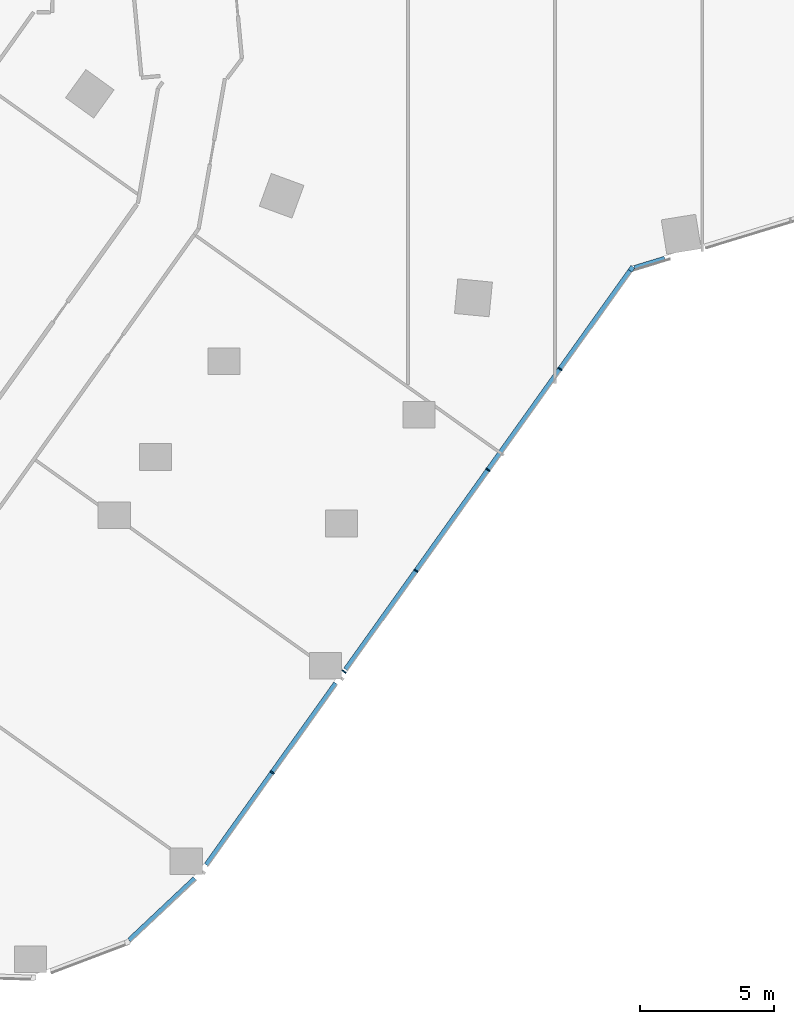
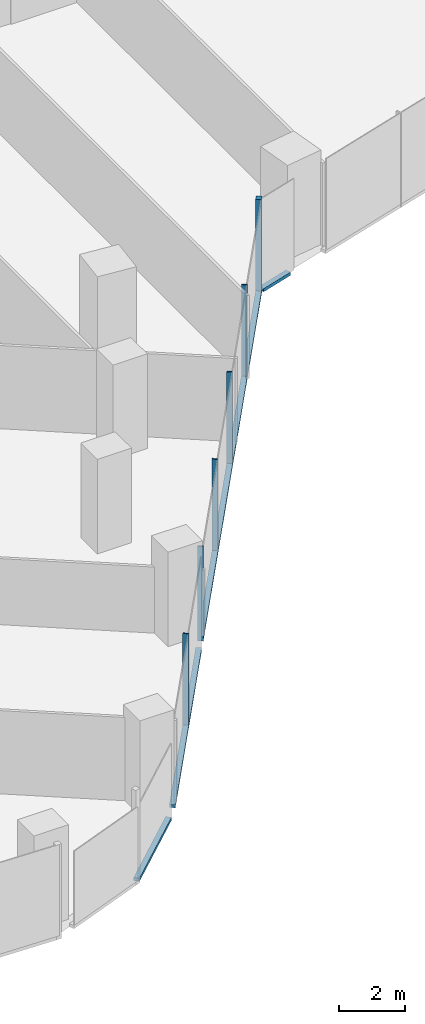
# One storey, part 5 of 31: 10 members, 3 elements without a shape of their own.
"""IFC4 building model written with IfcOpenShell, lengths in metres."""

import ifcopenshell
import ifcopenshell.guid

model = None  # the IFC model being written
_history = None  # IfcOwnerHistory: only IFC2X3 demands one
_inside = {}  # id of a spatial element -> (the spatial element, [elements in it])
_under = {}  # id of a project, library or spatial element -> (it, [spatial elements below it])
_declared = {}  # id of a project -> (the project, [libraries it declares])
_typed = {}  # id of a type object -> (the type object, [elements of that type])
_made_of = {}  # id of a material, layer set ... -> (it, [elements and type objects made of it])


def new_model(schema):
    """Start an empty IFC model of exactly this schema.

    Asked for "IFC4X3", IfcOpenShell would pick the latest addendum, in which some entities
    have other attributes; the version numbers below select the first issue.
    IFC2X3 requires an IfcOwnerHistory on every rooted entity: one is made here for all.
    """
    global model, _history
    if schema == "IFC4X3":
        model = ifcopenshell.file(schema_version=(4, 3, 0, 0))
    else:
        model = ifcopenshell.file(schema=schema)
    _inside.clear()
    _under.clear()
    _declared.clear()
    _typed.clear()
    _made_of.clear()
    _history = None
    if model.schema == "IFC2X3":
        org = make("IfcOrganization", Name="unknown")
        user = make(
            "IfcPersonAndOrganization",
            ThePerson=make("IfcPerson", FamilyName="unknown"),
            TheOrganization=org,
        )
        app = make(
            "IfcApplication",
            ApplicationDeveloper=org,
            Version="unknown",
            ApplicationFullName="unknown",
            ApplicationIdentifier="unknown",
        )
        _history = make(
            "IfcOwnerHistory",
            OwningUser=user,
            OwningApplication=app,
            ChangeAction="ADDED",
            CreationDate=0,
        )
    return model


def make(cls, **values):
    """One entity of the class cls with the attributes given. An attribute that is None is left unset."""
    return model.create_entity(
        cls, **{name: value for name, value in values.items() if value is not None}
    )


def rooted(cls, **values):
    """An entity with a GlobalId (a new one), such as an element, a storey or a relation."""
    return make(cls, GlobalId=ifcopenshell.guid.new(), OwnerHistory=_history, **values)


def si_unit(unit_type, name, prefix=None):
    """IfcSIUnit, for example si_unit("LENGTHUNIT", "METRE", prefix="MILLI")."""
    return make("IfcSIUnit", UnitType=unit_type, Prefix=prefix, Name=name)


def assignment(units):
    """IfcUnitAssignment: the units of a project."""
    return None if units is None else make("IfcUnitAssignment", Units=units)


def point(xyz):
    """IfcCartesianPoint."""
    return None if xyz is None else make("IfcCartesianPoint", Coordinates=xyz)


def direction(xyz):
    """IfcDirection."""
    return None if xyz is None else make("IfcDirection", DirectionRatios=xyz)


def frame(location, z_axis=None, x_axis=None):
    """IfcAxis2Placement3D, a coordinate frame: its origin and axes. An axis left out is left unset."""
    return make(
        "IfcAxis2Placement3D",
        Location=point(location),
        Axis=direction(z_axis),
        RefDirection=direction(x_axis),
    )


def frame_2d(location, x_axis=None):
    """IfcAxis2Placement2D, a coordinate frame in the plane: its origin and x axis."""
    return make(
        "IfcAxis2Placement2D", Location=point(location), RefDirection=direction(x_axis)
    )


def origin():
    """The frame at (0, 0, 0) with its axes left unset."""
    return frame((0.0, 0.0, 0.0))


def origin_2d():
    """The frame at (0, 0) in the plane with its x axis left unset."""
    return frame_2d((0.0, 0.0))


def place(relative_to, where):
    """IfcLocalPlacement: puts the frame where relative to a parent placement (None: the world)."""
    return make(
        "IfcLocalPlacement", PlacementRelTo=relative_to, RelativePlacement=where
    )


def context(
    kind, dimensions, precision=None, world=None, true_north=None, identifier=None
):
    """IfcGeometricRepresentationContext, for example the 3D "Model" context."""
    return make(
        "IfcGeometricRepresentationContext",
        ContextIdentifier=identifier,
        ContextType=kind,
        CoordinateSpaceDimension=dimensions,
        Precision=precision,
        WorldCoordinateSystem=world,
        TrueNorth=true_north,
    )


def subcontext(parent, identifier, kind, view, scale=None):
    """IfcGeometricRepresentationSubContext, for example "Body" below "Model"."""
    return make(
        "IfcGeometricRepresentationSubContext",
        ContextIdentifier=identifier,
        ContextType=kind,
        ParentContext=parent,
        TargetScale=scale,
        TargetView=view,
    )


def project(units=None, contexts=None):
    """IfcProject with its units and contexts."""
    return rooted(
        "IfcProject",
        Name="project",
        RepresentationContexts=contexts,
        UnitsInContext=assignment(units),
    )


def spatial(cls, under=None, at=None, **own):
    """A site, building, storey or space (cls), placed at a placement, below another one or the project."""
    s = rooted(cls, ObjectPlacement=at, **own)
    if under is not None:
        _under.setdefault(under.id(), (under, []))[1].append(s)
    return s


def profile(cls, at=None, kind="AREA", **sizes):
    """A parametric profile (cls). Its sizes go by their IFC names, for example OverallWidth=200.0."""
    return make(cls, ProfileType=kind, Position=at, **sizes)


def rectangle(**sizes):
    """IfcRectangleProfileDef."""
    return profile("IfcRectangleProfileDef", **sizes)


def extrude(swept, where, along, depth):
    """IfcExtrudedAreaSolid: the profile swept, set in the frame where, extruded along a direction by depth."""
    return make(
        "IfcExtrudedAreaSolid",
        SweptArea=swept,
        Position=where,
        ExtrudedDirection=direction(along),
        Depth=depth,
    )


def shape(context_of_items, identifier, shape_type, items):
    """IfcShapeRepresentation: the items that make up one representation, for example the "Body"."""
    return make(
        "IfcShapeRepresentation",
        ContextOfItems=context_of_items,
        RepresentationIdentifier=identifier,
        RepresentationType=shape_type,
        Items=items,
    )


def material(Name=None, Category=None):
    """IfcMaterial."""
    return make("IfcMaterial", Name=Name, Category=Category)


def material_profile(
    of_material, cross_section, Name=None, Category=None, Priority=None
):
    """IfcMaterialProfile: a cross section and its material."""
    return make(
        "IfcMaterialProfile",
        Name=Name,
        Material=of_material,
        Profile=cross_section,
        Priority=Priority,
        Category=Category,
    )


def profile_set(profiles, Name=None, composite=None):
    """IfcMaterialProfileSet."""
    return make(
        "IfcMaterialProfileSet",
        Name=Name,
        MaterialProfiles=profiles,
        CompositeProfile=composite,
    )


def made_of(thing, what):
    """Note that an element or type object is made of a material, layer set ...; save() writes the relation."""
    if what is not None:
        _made_of.setdefault(what.id(), (what, []))[1].append(thing)
    return thing


def type_object(cls, material=None, **own):
    """A type object (cls), such as IfcWallType, which elements share."""
    return made_of(rooted(cls, **own), material)


def element(
    cls,
    number,
    at=None,
    inside=None,
    cuts=None,
    type_object=None,
    material=None,
    context=None,
    identifier="Body",
    shape_type=None,
    held_by="IfcProductDefinitionShape",
    body=None,
    shapes=None,
    **own,
):
    """One element of the class cls, such as IfcWall. Its Tag is "e" and its number.

    at: its placement. inside: the storey or other place that contains it. cuts: it is an
    opening in that element (IfcRelVoidsElement). A single representation is given by context,
    identifier, shape_type and body (its items); several are given by shapes. held_by: the class
    of the entity that holds the representations. save() writes the other relations.
    """
    e = rooted(cls, Tag="e%d" % number, ObjectPlacement=at, **own)
    if body is not None:
        shapes = [shape(context, identifier, shape_type, body)]
    if shapes is not None:
        e.Representation = make(held_by, Representations=shapes)
    if inside is not None:
        _inside.setdefault(inside.id(), (inside, []))[1].append(e)
    if cuts is not None:
        rooted(
            "IfcRelVoidsElement", RelatingBuildingElement=cuts, RelatedOpeningElement=e
        )
    if type_object is not None:
        _typed.setdefault(type_object.id(), (type_object, []))[1].append(e)
    return made_of(e, material)


def aggregate(whole, parts):
    """IfcRelAggregates: a whole, such as a stair, and the parts it consists of."""
    return rooted("IfcRelAggregates", RelatingObject=whole, RelatedObjects=parts)


def save(model, path):
    """Write the relations noted so far, then the file.

    IfcRelAggregates (storeys below a building ...), IfcRelContainedInSpatialStructure (elements
    in a storey), IfcRelDefinesByType, IfcRelAssociatesMaterial and IfcRelDeclares: one each for
    every whole, place, type object, material and project.
    """
    for whole, parts in _under.values():
        aggregate(whole, parts)
    for where, things in _inside.values():
        rooted(
            "IfcRelContainedInSpatialStructure",
            RelatedElements=things,
            RelatingStructure=where,
        )
    for kind, things in _typed.values():
        rooted("IfcRelDefinesByType", RelatedObjects=things, RelatingType=kind)
    for what, things in _made_of.values():
        rooted("IfcRelAssociatesMaterial", RelatedObjects=things, RelatingMaterial=what)
    for by, libraries in _declared.values():
        rooted("IfcRelDeclares", RelatingContext=by, RelatedDefinitions=libraries)
    model.write(path)


model = new_model("IFC4")

# Units and contexts
model_context = context("Model", 3, precision=1e-05, world=origin(), true_north=direction((0.0, 1.0)))
body_context = subcontext(model_context, "Body", "Model", "MODEL_VIEW")
ifc_project = project(units=[si_unit("LENGTHUNIT", "METRE"), si_unit("AREAUNIT", "SQUARE_METRE"), si_unit("VOLUMEUNIT", "CUBIC_METRE"), si_unit("PLANEANGLEUNIT", "RADIAN"), si_unit("MASSUNIT", "GRAM", prefix="KILO")], contexts=[model_context])

# Site, building, storey
site_placement = place(None, origin())
site = spatial("IfcSite", under=ifc_project, at=site_placement, CompositionType="ELEMENT")
building_placement = place(site_placement, origin())
building = spatial("IfcBuilding", under=site, at=building_placement, Name="Orlundy Tower", CompositionType="ELEMENT")
storey_placement = place(building_placement, frame((0.0, 0.0, 94.699951171875)))
storey = spatial("IfcBuildingStorey", under=building, at=storey_placement, Name="L23", CompositionType="ELEMENT", Elevation=94.699951171875)

# Curtain wall, members
ifc_material_1 = material(Name="Aluminium bronze anodised", Category="aluminium")
curtain_wall_type = type_object("IfcCurtainWallType", Name="CW1 wall", PredefinedType="NOTDEFINED", material=ifc_material_1)
curtain_wall_1_placement = place(storey_placement, origin())
curtain_wall_1 = element("IfcCurtainWall", 1, at=curtain_wall_1_placement, inside=storey, type_object=curtain_wall_type, Name="CW1 run 018", PredefinedType="NOTDEFINED")
ifc_material_2 = material(Name="Aluminium bronze anodised", Category="aluminium")
ifc_material_profile_1 = material_profile(ifc_material_2, rectangle(XDim=0.179931640625, YDim=0.179931640625, at=origin_2d()), Name="CW1 corner post 180x180")
ifc_profile_set_1 = profile_set([ifc_material_profile_1], Name="Aluminium bronze anodised")
member_type_1 = type_object("IfcMemberType", Name="CW1 corner post 180x180", PredefinedType="MULLION", material=ifc_profile_set_1)
member_1_placement = place(storey_placement, frame((2.8564453125, -30.591064453125, -0.39990234375), z_axis=(0.0, 0.0, 1.0), x_axis=(0.814110230009, -0.580710369629, 0.0)))
member_1 = element("IfcMember", 2, at=member_1_placement, type_object=member_type_1, Name="CW1 mullion 51", PredefinedType="MULLION", context=body_context, shape_type="SweptSolid", body=[
    extrude(rectangle(XDim=0.179931640625, YDim=0.179931640625, at=origin_2d()), origin(), (0.0, 0.0, 1.0), 3.5),
])
ifc_material_3 = material(Name="Aluminium bronze anodised", Category="aluminium")
ifc_material_profile_2 = material_profile(ifc_material_3, rectangle(XDim=0.179931640625, YDim=0.050048828125, at=origin_2d()), Name="CW1 mullion 50x180")
ifc_profile_set_2 = profile_set([ifc_material_profile_2], Name="Aluminium bronze anodised")
member_type_2 = type_object("IfcMemberType", Name="CW1 mullion 50x180", PredefinedType="MULLION", material=ifc_profile_set_2)
member_2_placement = place(storey_placement, frame((0.18505859375, -34.336181640625, -0.39990234375), z_axis=(0.0, 0.0, 1.0), x_axis=(0.814110230009, -0.580710369629, 0.0)))
member_2 = element("IfcMember", 3, at=member_2_placement, type_object=member_type_2, Name="CW1 mullion 52", PredefinedType="MULLION", context=body_context, shape_type="SweptSolid", body=[
    extrude(rectangle(XDim=0.179931640625, YDim=0.050048828125, at=origin_2d()), origin(), (0.0, 0.0, 1.0), 3.5),
])
member_3_placement = place(storey_placement, frame((-2.504150390625, -38.106201171875, -0.39990234375), z_axis=(0.0, 0.0, 1.0), x_axis=(0.814110230009, -0.580710369629, 0.0)))
member_3 = element("IfcMember", 4, at=member_3_placement, type_object=member_type_2, Name="CW1 mullion 53", PredefinedType="MULLION", context=body_context, shape_type="SweptSolid", body=[
    extrude(rectangle(XDim=0.179931640625, YDim=0.050048828125, at=origin_2d()), origin(), (0.0, 0.0, 1.0), 3.5),
])
member_4_placement = place(storey_placement, frame((-5.193115234375, -41.876220703125, -0.39990234375), z_axis=(0.0, 0.0, 1.0), x_axis=(0.814110230009, -0.580710369629, 0.0)))
member_4 = element("IfcMember", 5, at=member_4_placement, type_object=member_type_2, Name="CW1 mullion 54", PredefinedType="MULLION", context=body_context, shape_type="SweptSolid", body=[
    extrude(rectangle(XDim=0.179931640625, YDim=0.050048828125, at=origin_2d()), origin(), (0.0, 0.0, 1.0), 3.5),
])
member_5_placement = place(storey_placement, frame((-7.88232421875, -45.646240234375, -0.39990234375), z_axis=(0.0, 0.0, 1.0), x_axis=(0.814110230009, -0.580710369629, 0.0)))
member_5 = element("IfcMember", 6, at=member_5_placement, type_object=member_type_2, Name="CW1 mullion 55", PredefinedType="MULLION", context=body_context, shape_type="SweptSolid", body=[
    extrude(rectangle(XDim=0.179931640625, YDim=0.050048828125, at=origin_2d()), origin(), (0.0, 0.0, 1.0), 3.5),
])
member_6_placement = place(storey_placement, frame((-10.571533203125, -49.416259765625, -0.39990234375), z_axis=(0.0, 0.0, 1.0), x_axis=(0.814110230009, -0.580710369629, 0.0)))
member_6 = element("IfcMember", 7, at=member_6_placement, type_object=member_type_2, Name="CW1 mullion 56", PredefinedType="MULLION", context=body_context, shape_type="SweptSolid", body=[
    extrude(rectangle(XDim=0.179931640625, YDim=0.050048828125, at=origin_2d()), origin(), (0.0, 0.0, 1.0), 3.5),
])

# Curtain wall, member
curtain_wall_2_placement = place(storey_placement, origin())
curtain_wall_2 = element("IfcCurtainWall", 8, at=curtain_wall_2_placement, inside=storey, type_object=curtain_wall_type, Name="CW1 run 017", PredefinedType="NOTDEFINED")
ifc_material_4 = material(Name="Aluminium bronze anodised", Category="aluminium")
ifc_material_profile_3 = material_profile(ifc_material_4, rectangle(XDim=0.179931640625, YDim=0.1201171875, at=origin_2d()), Name="CW1 transom 180x120")
ifc_profile_set_3 = profile_set([ifc_material_profile_3], Name="Aluminium bronze anodised")
member_type_3 = type_object("IfcMemberType", Name="CW1 transom 180x120", PredefinedType="USERDEFINED", material=ifc_profile_set_3)
member_7_placement = place(storey_placement, frame((4.099853515625, -30.211181640625, -0.33984375), z_axis=(-0.956364348349, -0.292176715718, 0.0), x_axis=(0.292176715718, -0.956364348349, 0.0)))
member_7 = element("IfcMember", 9, at=member_7_placement, type_object=member_type_3, Name="CW1 transom", ObjectType="TRANSOM", PredefinedType="USERDEFINED", context=body_context, shape_type="SweptSolid", body=[
    extrude(rectangle(XDim=0.179931640625, YDim=0.1201171875, at=origin_2d()), origin(), (0.0, 0.0, 1.0), 1.1865234375),
])
aggregate(curtain_wall_2, [member_7])

# Member
member_8_placement = place(storey_placement, frame((2.80419921875, -30.664306640625, -0.33984375), z_axis=(-0.580704410248, -0.814114480843, 0.0), x_axis=(0.814114480843, -0.580704410248, 0.0)))
member_8 = element("IfcMember", 10, at=member_8_placement, type_object=member_type_3, Name="CW1 transom", ObjectType="TRANSOM", PredefinedType="USERDEFINED", context=body_context, shape_type="SweptSolid", body=[
    extrude(rectangle(XDim=0.179931640625, YDim=0.1201171875, at=origin_2d()), origin(), (0.0, 0.0, 1.0), 18.3056640625),
])

member_9_placement = place(storey_placement, frame((-8.1923828125, -46.0810546875, -0.33984375), z_axis=(-0.580722740439, -0.814101405684, 0.0), x_axis=(0.814101405684, -0.580722740439, 0.0)))
member_9 = element("IfcMember", 11, at=member_9_placement, type_object=member_type_3, Name="CW1 transom", ObjectType="TRANSOM", PredefinedType="USERDEFINED", context=body_context, shape_type="SweptSolid", body=[
    extrude(rectangle(XDim=0.179931640625, YDim=0.1201171875, at=origin_2d()), origin(), (0.0, 0.0, 1.0), 8.33544921875),
])

aggregate(curtain_wall_1, [member_1, member_2, member_3, member_4, member_5, member_6, member_8, member_9])

# Curtain wall, member
curtain_wall_3_placement = place(storey_placement, origin())
curtain_wall_3 = element("IfcCurtainWall", 12, at=curtain_wall_3_placement, inside=storey, type_object=curtain_wall_type, Name="CW1 run 019", PredefinedType="NOTDEFINED")
member_10_placement = place(storey_placement, frame((-13.465087890625, -53.381103515625, -0.33984375), z_axis=(-0.728240499121, -0.685321658377, 0.0), x_axis=(0.685321658377, -0.728240499121, 0.0)))
member_10 = element("IfcMember", 13, at=member_10_placement, type_object=member_type_3, Name="CW1 transom", ObjectType="TRANSOM", PredefinedType="USERDEFINED", context=body_context, shape_type="SweptSolid", body=[
    extrude(rectangle(XDim=0.179931640625, YDim=0.1201171875, at=origin_2d()), origin(), (0.0, 0.0, 1.0), 3.36181640625),
])
aggregate(curtain_wall_3, [member_10])

save(model, "model.ifc")
